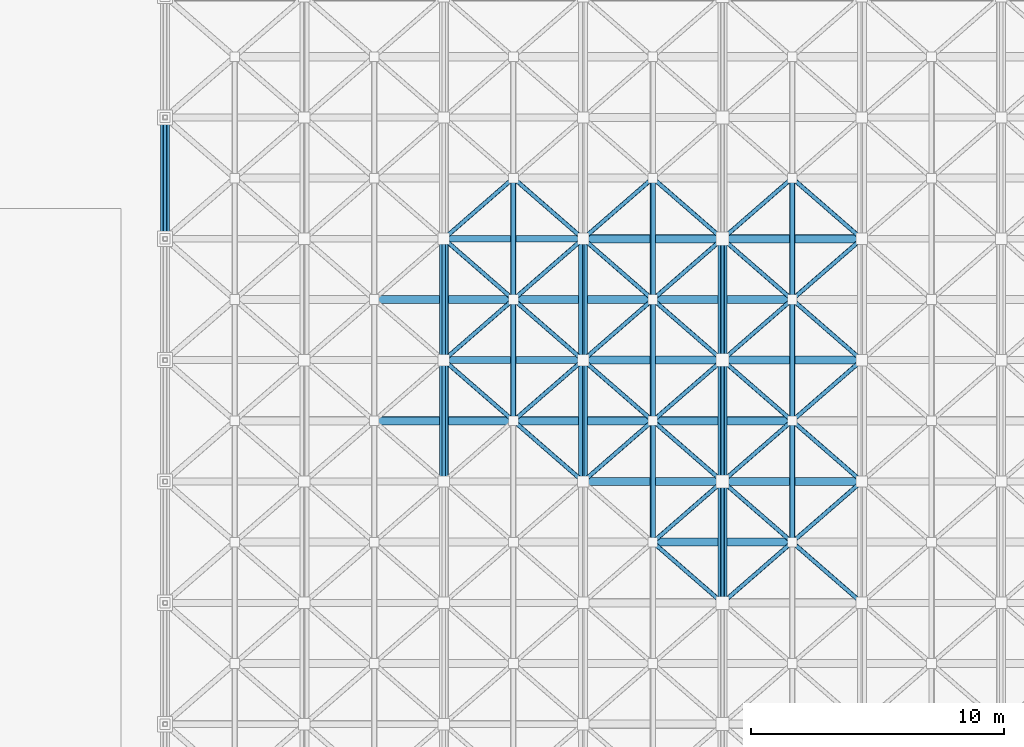
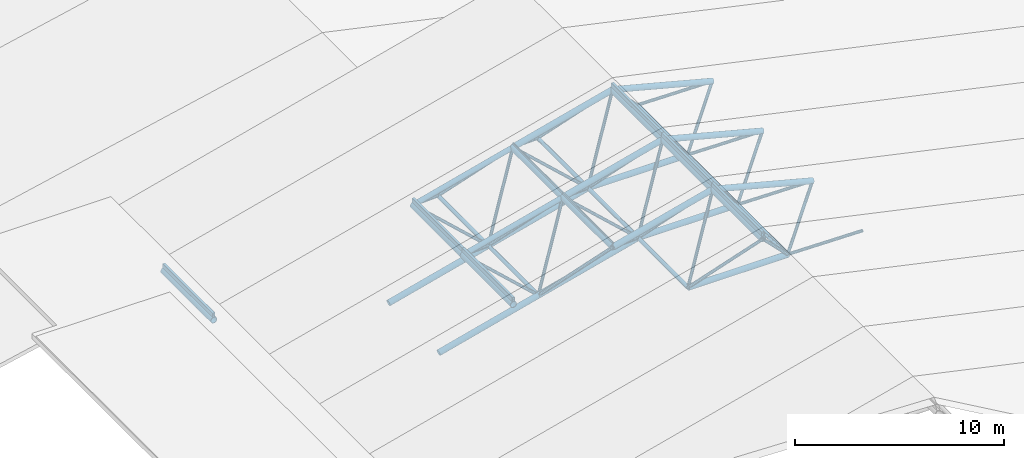
# One storey, part 8 of 60: 74 members.
"""IFC4 building model written with IfcOpenShell, lengths in metres."""

from ifc_helpers import new_model, si_unit, direction, frame, origin, origin_2d, place, context, subcontext, project, spatial, hollow_rectangle, hollow_circle, extrude, material, material_profile, profile_set, type_object, element, save


model = new_model("IFC4")

# Units and contexts
model_context = context("Model", 3, precision=1e-05, world=origin(), true_north=direction((0.0, 1.0)))
body_context = subcontext(model_context, "Body", "Model", "MODEL_VIEW")
ifc_project = project(units=[si_unit("LENGTHUNIT", "METRE"), si_unit("AREAUNIT", "SQUARE_METRE"), si_unit("VOLUMEUNIT", "CUBIC_METRE"), si_unit("PLANEANGLEUNIT", "RADIAN"), si_unit("MASSUNIT", "GRAM", prefix="KILO")], contexts=[model_context])

# Site, building, storey
site_placement = place(None, origin())
site = spatial("IfcSite", under=ifc_project, at=site_placement, CompositionType="ELEMENT")
building_placement = place(site_placement, origin())
building = spatial("IfcBuilding", under=site, at=building_placement, Name="Nakhvara Creek Congress Hotel", CompositionType="ELEMENT")
storey_placement = place(building_placement, frame((0.0, 0.0, 54.60009765625)))
storey = spatial("IfcBuildingStorey", under=building, at=storey_placement, Name="RL1", CompositionType="ELEMENT", Elevation=54.60009765625)

# Members
ifc_material = material(Name="Steel S355J2H", Category="steel")
ifc_material_profile_1 = material_profile(ifc_material, hollow_circle(Radius=0.084228515625, WallThickness=0.010009765625, at=origin_2d()), Name="CHS 168.3x10.0", Category="LoadBearing")
ifc_profile_set_1 = profile_set([ifc_material_profile_1], Name="Steel S355J2H")
member_type_1 = type_object("IfcMemberType", Name="MEM-BRC-CHS168H", PredefinedType="BRACE", material=ifc_profile_set_1)
for number, where, z_axis, x_axis, name in (
    (1, (28.44384765625, 64.800048828125, -32.610107421875), (0.558189509619, -0.486098066176, 0.672408463221), (0.656729278158, 0.754126418587, 0.0), "Congress Space Frame Web Diagonal 0499"),
    (2, (28.44384765625, 64.800048828125, -32.610107421875), (0.558202925689, 0.486060302908, 0.672424624541), (-0.656691284984, 0.754159503173, 0.0), "Congress Space Frame Web Diagonal 0501"),
):
    element("IfcMember", number, at=place(storey_placement, frame(where, z_axis=z_axis, x_axis=x_axis)), inside=storey, type_object=member_type_1, Name=name, PredefinedType="BRACE", context=body_context, shape_type="SweptSolid", body=[
        extrude(hollow_circle(Radius=0.084228515625, WallThickness=0.010009765625, at=origin_2d()), origin(), (0.0, 0.0, 1.0), 4.9375),
    ])
member_1_placement = place(storey_placement, frame((33.956298828125, 64.800048828125, -32.610107421875), z_axis=(-0.558223547657, -0.486084649868, 0.672389904746), x_axis=(0.656696195101, -0.754155227616, 0.0)))
element("IfcMember", 3, at=member_1_placement, inside=storey, type_object=member_type_1, Name="Congress Space Frame Web Diagonal 0504", PredefinedType="BRACE", context=body_context, shape_type="SweptSolid", body=[
    extrude(hollow_circle(Radius=0.084228515625, WallThickness=0.010009765625, at=origin_2d()), origin(), (0.0, 0.0, 1.0), 4.937744140625),
])
member_2_placement = place(storey_placement, frame((33.956298828125, 64.800048828125, -32.610107421875), z_axis=(0.670592992914, -0.58398438421, 0.457457404414), x_axis=(0.656729278158, 0.754126418587, 0.0)))
element("IfcMember", 4, at=member_2_placement, inside=storey, type_object=member_type_1, Name="Congress Space Frame Web Diagonal 0505", PredefinedType="BRACE", context=body_context, shape_type="SweptSolid", body=[
    extrude(hollow_circle(Radius=0.084228515625, WallThickness=0.010009765625, at=origin_2d()), origin(), (0.0, 0.0, 1.0), 4.10986328125),
])
member_3_placement = place(storey_placement, frame((33.956298828125, 64.800048828125, -32.610107421875), z_axis=(-0.558236963804, 0.486046886997, 0.672406064728), x_axis=(-0.656658200939, -0.754188310132, 0.0)))
element("IfcMember", 5, at=member_3_placement, inside=storey, type_object=member_type_1, Name="Congress Space Frame Web Diagonal 0506", PredefinedType="BRACE", context=body_context, shape_type="SweptSolid", body=[
    extrude(hollow_circle(Radius=0.084228515625, WallThickness=0.010009765625, at=origin_2d()), origin(), (0.0, 0.0, 1.0), 4.9375),
])
member_4_placement = place(storey_placement, frame((33.956298828125, 64.800048828125, -32.610107421875), z_axis=(0.670616255838, 0.583945238275, 0.457473273648), x_axis=(-0.656691284984, 0.754159503173, 0.0)))
element("IfcMember", 6, at=member_4_placement, inside=storey, type_object=member_type_1, Name="Congress Space Frame Web Diagonal 0507", PredefinedType="BRACE", context=body_context, shape_type="SweptSolid", body=[
    extrude(hollow_circle(Radius=0.084228515625, WallThickness=0.010009765625, at=origin_2d()), origin(), (0.0, 0.0, 1.0), 4.10986328125),
])
member_5_placement = place(storey_placement, frame((22.93115234375, 69.60009765625, -34.050048828125), z_axis=(0.558223547657, -0.486084649868, 0.672389904746), x_axis=(0.656696195101, 0.754155227616, 0.0)))
element("IfcMember", 7, at=member_5_placement, inside=storey, type_object=member_type_1, Name="Congress Space Frame Web Diagonal 0540", PredefinedType="BRACE", context=body_context, shape_type="SweptSolid", body=[
    extrude(hollow_circle(Radius=0.084228515625, WallThickness=0.010009765625, at=origin_2d()), origin(), (0.0, 0.0, 1.0), 4.937744140625),
])
member_6_placement = place(storey_placement, frame((22.93115234375, 69.60009765625, -34.050048828125), z_axis=(-0.670634480014, 0.583961107143, 0.457426299593), x_axis=(-0.656691284984, -0.754159503173, 0.0)))
element("IfcMember", 8, at=member_6_placement, inside=storey, type_object=member_type_1, Name="Congress Space Frame Web Diagonal 0541", PredefinedType="BRACE", context=body_context, shape_type="SweptSolid", body=[
    extrude(hollow_circle(Radius=0.084228515625, WallThickness=0.010009765625, at=origin_2d()), origin(), (0.0, 0.0, 1.0), 4.109619140625),
])
member_7_placement = place(storey_placement, frame((22.93115234375, 69.60009765625, -34.050048828125), z_axis=(0.558236963804, 0.486046886997, 0.672406064728), x_axis=(-0.656658200939, 0.754188310132, 0.0)))
element("IfcMember", 9, at=member_7_placement, inside=storey, type_object=member_type_1, Name="Congress Space Frame Web Diagonal 0542", PredefinedType="BRACE", context=body_context, shape_type="SweptSolid", body=[
    extrude(hollow_circle(Radius=0.084228515625, WallThickness=0.010009765625, at=origin_2d()), origin(), (0.0, 0.0, 1.0), 4.9375),
])
member_8_placement = place(storey_placement, frame((28.44384765625, 69.60009765625, -32.610107421875), z_axis=(-0.670625680367, -0.583961121673, 0.457439181976), x_axis=(0.656696195101, -0.754155227616, 0.0)))
element("IfcMember", 10, at=member_8_placement, inside=storey, type_object=member_type_1, Name="Congress Space Frame Web Diagonal 0545", PredefinedType="BRACE", context=body_context, shape_type="SweptSolid", body=[
    extrude(hollow_circle(Radius=0.084228515625, WallThickness=0.010009765625, at=origin_2d()), origin(), (0.0, 0.0, 1.0), 4.110107421875),
])
member_9_placement = place(storey_placement, frame((28.44384765625, 69.60009765625, -32.610107421875), z_axis=(0.558189509619, -0.486098066176, 0.672408463221), x_axis=(0.656729278158, 0.754126418587, 0.0)))
element("IfcMember", 11, at=member_9_placement, inside=storey, type_object=member_type_1, Name="Congress Space Frame Web Diagonal 0546", PredefinedType="BRACE", context=body_context, shape_type="SweptSolid", body=[
    extrude(hollow_circle(Radius=0.084228515625, WallThickness=0.010009765625, at=origin_2d()), origin(), (0.0, 0.0, 1.0), 4.9375),
])
member_10_placement = place(storey_placement, frame((28.44384765625, 69.60009765625, -32.610107421875), z_axis=(-0.670648942571, 0.583921975684, 0.457455049313), x_axis=(-0.656658200939, -0.754188310132, 0.0)))
element("IfcMember", 12, at=member_10_placement, inside=storey, type_object=member_type_1, Name="Congress Space Frame Web Diagonal 0547", PredefinedType="BRACE", context=body_context, shape_type="SweptSolid", body=[
    extrude(hollow_circle(Radius=0.084228515625, WallThickness=0.010009765625, at=origin_2d()), origin(), (0.0, 0.0, 1.0), 4.10986328125),
])
member_11_placement = place(storey_placement, frame((28.44384765625, 69.60009765625, -32.610107421875), z_axis=(0.558202925689, 0.486060302908, 0.672424624541), x_axis=(-0.656691284984, 0.754159503173, 0.0)))
element("IfcMember", 13, at=member_11_placement, inside=storey, type_object=member_type_1, Name="Congress Space Frame Web Diagonal 0548", PredefinedType="BRACE", context=body_context, shape_type="SweptSolid", body=[
    extrude(hollow_circle(Radius=0.084228515625, WallThickness=0.010009765625, at=origin_2d()), origin(), (0.0, 0.0, 1.0), 4.9375),
])
member_12_placement = place(storey_placement, frame((33.956298828125, 69.60009765625, -32.610107421875), z_axis=(-0.558223547657, -0.486084649868, 0.672389904746), x_axis=(0.656696195101, -0.754155227616, 0.0)))
element("IfcMember", 14, at=member_12_placement, inside=storey, type_object=member_type_1, Name="Congress Space Frame Web Diagonal 0551", PredefinedType="BRACE", context=body_context, shape_type="SweptSolid", body=[
    extrude(hollow_circle(Radius=0.084228515625, WallThickness=0.010009765625, at=origin_2d()), origin(), (0.0, 0.0, 1.0), 4.937744140625),
])
member_13_placement = place(storey_placement, frame((33.956298828125, 69.60009765625, -32.610107421875), z_axis=(0.670592992914, -0.58398438421, 0.457457404414), x_axis=(0.656729278158, 0.754126418587, 0.0)))
element("IfcMember", 15, at=member_13_placement, inside=storey, type_object=member_type_1, Name="Congress Space Frame Web Diagonal 0552", PredefinedType="BRACE", context=body_context, shape_type="SweptSolid", body=[
    extrude(hollow_circle(Radius=0.084228515625, WallThickness=0.010009765625, at=origin_2d()), origin(), (0.0, 0.0, 1.0), 4.10986328125),
])
member_14_placement = place(storey_placement, frame((33.956298828125, 69.60009765625, -32.610107421875), z_axis=(-0.558236963804, 0.486046886997, 0.672406064728), x_axis=(-0.656658200939, -0.754188310132, 0.0)))
element("IfcMember", 16, at=member_14_placement, inside=storey, type_object=member_type_1, Name="Congress Space Frame Web Diagonal 0553", PredefinedType="BRACE", context=body_context, shape_type="SweptSolid", body=[
    extrude(hollow_circle(Radius=0.084228515625, WallThickness=0.010009765625, at=origin_2d()), origin(), (0.0, 0.0, 1.0), 4.9375),
])
member_15_placement = place(storey_placement, frame((33.956298828125, 69.60009765625, -32.610107421875), z_axis=(0.670616255838, 0.583945238275, 0.457473273648), x_axis=(-0.656691284984, 0.754159503173, 0.0)))
element("IfcMember", 17, at=member_15_placement, inside=storey, type_object=member_type_1, Name="Congress Space Frame Web Diagonal 0554", PredefinedType="BRACE", context=body_context, shape_type="SweptSolid", body=[
    extrude(hollow_circle(Radius=0.084228515625, WallThickness=0.010009765625, at=origin_2d()), origin(), (0.0, 0.0, 1.0), 4.10986328125),
])
member_16_placement = place(storey_placement, frame((22.93115234375, 74.39990234375, -34.050048828125), z_axis=(-0.670634480014, -0.583961107143, 0.457426299593), x_axis=(0.656691284984, -0.754159503173, 0.0)))
element("IfcMember", 18, at=member_16_placement, inside=storey, type_object=member_type_1, Name="Congress Space Frame Web Diagonal 0586", PredefinedType="BRACE", context=body_context, shape_type="SweptSolid", body=[
    extrude(hollow_circle(Radius=0.084228515625, WallThickness=0.010009765625, at=origin_2d()), origin(), (0.0, 0.0, 1.0), 4.109619140625),
])
member_17_placement = place(storey_placement, frame((22.93115234375, 74.39990234375, -34.050048828125), z_axis=(0.558236963804, -0.486046886997, 0.672406064728), x_axis=(0.656658200939, 0.754188310132, 0.0)))
element("IfcMember", 19, at=member_17_placement, inside=storey, type_object=member_type_1, Name="Congress Space Frame Web Diagonal 0587", PredefinedType="BRACE", context=body_context, shape_type="SweptSolid", body=[
    extrude(hollow_circle(Radius=0.084228515625, WallThickness=0.010009765625, at=origin_2d()), origin(), (0.0, 0.0, 1.0), 4.9375),
])
member_18_placement = place(storey_placement, frame((22.93115234375, 74.39990234375, -34.050048828125), z_axis=(-0.670611215194, 0.584000253041, 0.457410431127), x_axis=(-0.656729278158, -0.754126418587, 0.0)))
element("IfcMember", 20, at=member_18_placement, inside=storey, type_object=member_type_1, Name="Congress Space Frame Web Diagonal 0588", PredefinedType="BRACE", context=body_context, shape_type="SweptSolid", body=[
    extrude(hollow_circle(Radius=0.084228515625, WallThickness=0.010009765625, at=origin_2d()), origin(), (0.0, 0.0, 1.0), 4.10986328125),
])
member_19_placement = place(storey_placement, frame((22.93115234375, 74.39990234375, -34.050048828125), z_axis=(0.558223547657, 0.486084649868, 0.672389904746), x_axis=(-0.656696195101, 0.754155227616, 0.0)))
element("IfcMember", 21, at=member_19_placement, inside=storey, type_object=member_type_1, Name="Congress Space Frame Web Diagonal 0589", PredefinedType="BRACE", context=body_context, shape_type="SweptSolid", body=[
    extrude(hollow_circle(Radius=0.084228515625, WallThickness=0.010009765625, at=origin_2d()), origin(), (0.0, 0.0, 1.0), 4.937744140625),
])
member_20_placement = place(storey_placement, frame((28.44384765625, 74.39990234375, -32.610107421875), z_axis=(-0.670648942571, -0.583921975684, 0.457455049313), x_axis=(0.656658200939, -0.754188310132, 0.0)))
element("IfcMember", 22, at=member_20_placement, inside=storey, type_object=member_type_1, Name="Congress Space Frame Web Diagonal 0592", PredefinedType="BRACE", context=body_context, shape_type="SweptSolid", body=[
    extrude(hollow_circle(Radius=0.084228515625, WallThickness=0.010009765625, at=origin_2d()), origin(), (0.0, 0.0, 1.0), 4.10986328125),
])
member_21_placement = place(storey_placement, frame((28.44384765625, 74.39990234375, -32.610107421875), z_axis=(0.558202925689, -0.486060302908, 0.672424624541), x_axis=(0.656691284984, 0.754159503173, 0.0)))
element("IfcMember", 23, at=member_21_placement, inside=storey, type_object=member_type_1, Name="Congress Space Frame Web Diagonal 0593", PredefinedType="BRACE", context=body_context, shape_type="SweptSolid", body=[
    extrude(hollow_circle(Radius=0.084228515625, WallThickness=0.010009765625, at=origin_2d()), origin(), (0.0, 0.0, 1.0), 4.9375),
])
member_22_placement = place(storey_placement, frame((28.44384765625, 74.39990234375, -32.610107421875), z_axis=(-0.670625680367, 0.583961121673, 0.457439181976), x_axis=(-0.656696195101, -0.754155227616, 0.0)))
element("IfcMember", 24, at=member_22_placement, inside=storey, type_object=member_type_1, Name="Congress Space Frame Web Diagonal 0594", PredefinedType="BRACE", context=body_context, shape_type="SweptSolid", body=[
    extrude(hollow_circle(Radius=0.084228515625, WallThickness=0.010009765625, at=origin_2d()), origin(), (0.0, 0.0, 1.0), 4.110107421875),
])
for number, where, z_axis, x_axis, name in (
    (25, (28.44384765625, 74.39990234375, -32.610107421875), (0.558189509619, 0.486098066176, 0.672408463221), (-0.656729278158, 0.754126418587, 0.0), "Congress Space Frame Web Diagonal 0595"),
    (26, (33.956298828125, 74.39990234375, -32.610107421875), (-0.558236963804, -0.486046886997, 0.672406064728), (0.656658200939, -0.754188310132, 0.0), "Congress Space Frame Web Diagonal 0598"),
):
    element("IfcMember", number, at=place(storey_placement, frame(where, z_axis=z_axis, x_axis=x_axis)), inside=storey, type_object=member_type_1, Name=name, PredefinedType="BRACE", context=body_context, shape_type="SweptSolid", body=[
        extrude(hollow_circle(Radius=0.084228515625, WallThickness=0.010009765625, at=origin_2d()), origin(), (0.0, 0.0, 1.0), 4.9375),
    ])
member_23_placement = place(storey_placement, frame((33.956298828125, 74.39990234375, -32.610107421875), z_axis=(0.670616255838, -0.583945238275, 0.457473273648), x_axis=(0.656691284984, 0.754159503173, 0.0)))
element("IfcMember", 27, at=member_23_placement, inside=storey, type_object=member_type_1, Name="Congress Space Frame Web Diagonal 0599", PredefinedType="BRACE", context=body_context, shape_type="SweptSolid", body=[
    extrude(hollow_circle(Radius=0.084228515625, WallThickness=0.010009765625, at=origin_2d()), origin(), (0.0, 0.0, 1.0), 4.10986328125),
])
member_24_placement = place(storey_placement, frame((33.956298828125, 74.39990234375, -32.610107421875), z_axis=(-0.558223547657, 0.486084649868, 0.672389904746), x_axis=(-0.656696195101, -0.754155227616, 0.0)))
element("IfcMember", 28, at=member_24_placement, inside=storey, type_object=member_type_1, Name="Congress Space Frame Web Diagonal 0600", PredefinedType="BRACE", context=body_context, shape_type="SweptSolid", body=[
    extrude(hollow_circle(Radius=0.084228515625, WallThickness=0.010009765625, at=origin_2d()), origin(), (0.0, 0.0, 1.0), 4.937744140625),
])
member_25_placement = place(storey_placement, frame((33.956298828125, 74.39990234375, -32.610107421875), z_axis=(0.670592992914, 0.58398438421, 0.457457404414), x_axis=(-0.656729278158, 0.754126418587, 0.0)))
element("IfcMember", 29, at=member_25_placement, inside=storey, type_object=member_type_1, Name="Congress Space Frame Web Diagonal 0601", PredefinedType="BRACE", context=body_context, shape_type="SweptSolid", body=[
    extrude(hollow_circle(Radius=0.084228515625, WallThickness=0.010009765625, at=origin_2d()), origin(), (0.0, 0.0, 1.0), 4.10986328125),
])
member_26_placement = place(storey_placement, frame((22.93115234375, 79.199951171875, -34.050048828125), z_axis=(-0.670634480014, -0.583961107143, 0.457426299593), x_axis=(0.656691284984, -0.754159503173, 0.0)))
element("IfcMember", 30, at=member_26_placement, inside=storey, type_object=member_type_1, Name="Congress Space Frame Web Diagonal 0633", PredefinedType="BRACE", context=body_context, shape_type="SweptSolid", body=[
    extrude(hollow_circle(Radius=0.084228515625, WallThickness=0.010009765625, at=origin_2d()), origin(), (0.0, 0.0, 1.0), 4.109619140625),
])
member_27_placement = place(storey_placement, frame((22.93115234375, 79.199951171875, -34.050048828125), z_axis=(0.558236963804, -0.486046886997, 0.672406064728), x_axis=(0.656658200939, 0.754188310132, 0.0)))
element("IfcMember", 31, at=member_27_placement, inside=storey, type_object=member_type_1, Name="Congress Space Frame Web Diagonal 0634", PredefinedType="BRACE", context=body_context, shape_type="SweptSolid", body=[
    extrude(hollow_circle(Radius=0.084228515625, WallThickness=0.010009765625, at=origin_2d()), origin(), (0.0, 0.0, 1.0), 4.9375),
])
member_28_placement = place(storey_placement, frame((28.44384765625, 79.199951171875, -32.610107421875), z_axis=(-0.670648942571, -0.583921975684, 0.457455049313), x_axis=(0.656658200939, -0.754188310132, 0.0)))
element("IfcMember", 32, at=member_28_placement, inside=storey, type_object=member_type_1, Name="Congress Space Frame Web Diagonal 0639", PredefinedType="BRACE", context=body_context, shape_type="SweptSolid", body=[
    extrude(hollow_circle(Radius=0.084228515625, WallThickness=0.010009765625, at=origin_2d()), origin(), (0.0, 0.0, 1.0), 4.10986328125),
])
for number, where, z_axis, x_axis, name in (
    (33, (28.44384765625, 79.199951171875, -32.610107421875), (0.558202925689, -0.486060302908, 0.672424624541), (0.656691284984, 0.754159503173, 0.0), "Congress Space Frame Web Diagonal 0640"),
    (34, (33.956298828125, 79.199951171875, -32.610107421875), (-0.558236963804, -0.486046886997, 0.672406064728), (0.656658200939, -0.754188310132, 0.0), "Congress Space Frame Web Diagonal 0645"),
):
    element("IfcMember", number, at=place(storey_placement, frame(where, z_axis=z_axis, x_axis=x_axis)), inside=storey, type_object=member_type_1, Name=name, PredefinedType="BRACE", context=body_context, shape_type="SweptSolid", body=[
        extrude(hollow_circle(Radius=0.084228515625, WallThickness=0.010009765625, at=origin_2d()), origin(), (0.0, 0.0, 1.0), 4.9375),
    ])
member_29_placement = place(storey_placement, frame((33.956298828125, 79.199951171875, -32.610107421875), z_axis=(0.670616255838, -0.583945238275, 0.457473273648), x_axis=(0.656691284984, 0.754159503173, 0.0)))
element("IfcMember", 35, at=member_29_placement, inside=storey, type_object=member_type_1, Name="Congress Space Frame Web Diagonal 0646", PredefinedType="BRACE", context=body_context, shape_type="SweptSolid", body=[
    extrude(hollow_circle(Radius=0.084228515625, WallThickness=0.010009765625, at=origin_2d()), origin(), (0.0, 0.0, 1.0), 4.10986328125),
])
ifc_material_profile_2 = material_profile(ifc_material, hollow_circle(Radius=0.109619140625, WallThickness=0.012451171875, at=origin_2d()), Name="CHS 219.1x12.5", Category="LoadBearing")
ifc_profile_set_2 = profile_set([ifc_material_profile_2], Name="Steel S355J2H")
member_type_2 = type_object("IfcMemberType", Name="MEM-CHD-CHS219H", PredefinedType="CHORD", material=ifc_profile_set_2)
for number, where, z_axis, x_axis, name in (
    (36, (28.44384765625, 64.800048828125, -32.610107421875), (0.0, 1.0, 0.0), (-1.0, 0.0, 0.0), "Congress Roof Truss Bottom Tie 0497"),
    (37, (33.956298828125, 64.800048828125, -32.610107421875), (0.0, 1.0, 0.0), (-1.0, 0.0, 0.0), "Congress Roof Truss Bottom Tie 0503"),
):
    element("IfcMember", number, at=place(storey_placement, frame(where, z_axis=z_axis, x_axis=x_axis)), inside=storey, type_object=member_type_2, Name=name, PredefinedType="CHORD", context=body_context, shape_type="SweptSolid", body=[
        extrude(hollow_circle(Radius=0.109619140625, WallThickness=0.012451171875, at=origin_2d()), origin(), (0.0, 0.0, 1.0), 4.800048828125),
    ])
for number, where, z_axis, x_axis, name in (
    (38, (22.93115234375, 69.60009765625, -34.050048828125), (0.0, 1.0, 0.0), (-1.0, 0.0, 0.0), "Congress Roof Truss Bottom Tie 0538"),
    (39, (28.44384765625, 69.60009765625, -32.610107421875), (0.0, 1.0, 0.0), (-1.0, 0.0, 0.0), "Congress Roof Truss Bottom Tie 0544"),
    (40, (33.956298828125, 69.60009765625, -32.610107421875), (0.0, 1.0, 0.0), (-1.0, 0.0, 0.0), "Congress Roof Truss Bottom Tie 0550"),
):
    element("IfcMember", number, at=place(storey_placement, frame(where, z_axis=z_axis, x_axis=x_axis)), inside=storey, type_object=member_type_2, Name=name, PredefinedType="CHORD", context=body_context, shape_type="SweptSolid", body=[
        extrude(hollow_circle(Radius=0.109619140625, WallThickness=0.012451171875, at=origin_2d()), origin(), (0.0, 0.0, 1.0), 4.7998046875),
    ])
for number, where, z_axis, x_axis, name in (
    (41, (22.93115234375, 74.39990234375, -34.050048828125), (0.0, 1.0, 0.0), (-1.0, 0.0, 0.0), "Congress Roof Truss Bottom Tie 0585"),
    (42, (28.44384765625, 74.39990234375, -32.610107421875), (0.0, 1.0, 0.0), (-1.0, 0.0, 0.0), "Congress Roof Truss Bottom Tie 0591"),
    (43, (33.956298828125, 74.39990234375, -32.610107421875), (0.0, 1.0, 0.0), (-1.0, 0.0, 0.0), "Congress Roof Truss Bottom Tie 0597"),
):
    element("IfcMember", number, at=place(storey_placement, frame(where, z_axis=z_axis, x_axis=x_axis)), inside=storey, type_object=member_type_2, Name=name, PredefinedType="CHORD", context=body_context, shape_type="SweptSolid", body=[
        extrude(hollow_circle(Radius=0.109619140625, WallThickness=0.012451171875, at=origin_2d()), origin(), (0.0, 0.0, 1.0), 4.800048828125),
    ])
ifc_material_profile_3 = material_profile(ifc_material, hollow_circle(Radius=0.136474609375, WallThickness=0.01611328125, at=origin_2d()), Name="CHS 273.0x16.0", Category="LoadBearing")
ifc_profile_set_3 = profile_set([ifc_material_profile_3], Name="Steel S355J2H")
member_type_3 = type_object("IfcMemberType", Name="MEM-CHD-CHS273H", PredefinedType="CHORD", material=ifc_profile_set_3)
for number, where, z_axis, x_axis, name in (
    (44, (20.175048828125, 72.0, -32.170166015625), (0.967524832219, 0.0, 0.252775985883), (0.0, 1.0, 0.0), "Congress Space Frame Top Chord 0141"),
    (45, (20.175048828125, 76.800048828125, -32.170166015625), (0.967524832219, 0.0, 0.252775985883), (0.0, 1.0, 0.0), "Congress Space Frame Top Chord 0158"),
):
    element("IfcMember", number, at=place(storey_placement, frame(where, z_axis=z_axis, x_axis=x_axis)), inside=storey, type_object=member_type_3, Name=name, PredefinedType="CHORD", context=body_context, shape_type="SweptSolid", body=[
        extrude(hollow_circle(Radius=0.136474609375, WallThickness=0.01611328125, at=origin_2d()), origin(), (0.0, 0.0, 1.0), 5.697509765625),
    ])
ifc_material_profile_4 = material_profile(ifc_material, hollow_circle(Radius=0.161865234375, WallThickness=0.012451171875, at=origin_2d()), Name="CHS 323.9x12.5", Category="LoadBearing")
ifc_profile_set_4 = profile_set([ifc_material_profile_4], Name="Steel S355J2H")
member_type_4 = type_object("IfcMemberType", Name="MEM-CHD-CHS324", PredefinedType="CHORD", material=ifc_profile_set_4)
member_30_placement = place(storey_placement, frame((28.44384765625, 64.800048828125, -32.610107421875), z_axis=(1.0, 0.0, 0.0), x_axis=(0.0, 1.0, 0.0)))
element("IfcMember", 46, at=member_30_placement, inside=storey, type_object=member_type_4, Name="Congress Space Frame Bottom Chord 0496", PredefinedType="CHORD", context=body_context, shape_type="SweptSolid", body=[
    extrude(hollow_circle(Radius=0.161865234375, WallThickness=0.012451171875, at=origin_2d()), origin(), (0.0, 0.0, 1.0), 5.512451171875),
])
member_31_placement = place(storey_placement, frame((17.418701171875, 69.60009765625, -35.489990234375), z_axis=(0.967535311358, 0.0, 0.252735872554), x_axis=(0.0, 1.0, 0.0)))
element("IfcMember", 47, at=member_31_placement, inside=storey, type_object=member_type_4, Name="Congress Space Frame Bottom Chord 0531", PredefinedType="CHORD", context=body_context, shape_type="SweptSolid", body=[
    extrude(hollow_circle(Radius=0.161865234375, WallThickness=0.012451171875, at=origin_2d()), origin(), (0.0, 0.0, 1.0), 5.697509765625),
])
member_32_placement = place(storey_placement, frame((22.93115234375, 69.60009765625, -34.050048828125), z_axis=(0.967538048321, 0.0, 0.252725394553), x_axis=(0.0, 1.0, 0.0)))
element("IfcMember", 48, at=member_32_placement, inside=storey, type_object=member_type_4, Name="Congress Space Frame Bottom Chord 0537", PredefinedType="CHORD", context=body_context, shape_type="SweptSolid", body=[
    extrude(hollow_circle(Radius=0.161865234375, WallThickness=0.012451171875, at=origin_2d()), origin(), (0.0, 0.0, 1.0), 5.69775390625),
])
member_33_placement = place(storey_placement, frame((28.44384765625, 69.60009765625, -32.610107421875), z_axis=(1.0, 0.0, 0.0), x_axis=(0.0, 1.0, 0.0)))
element("IfcMember", 49, at=member_33_placement, inside=storey, type_object=member_type_4, Name="Congress Space Frame Bottom Chord 0543", PredefinedType="CHORD", context=body_context, shape_type="SweptSolid", body=[
    extrude(hollow_circle(Radius=0.161865234375, WallThickness=0.012451171875, at=origin_2d()), origin(), (0.0, 0.0, 1.0), 5.512451171875),
])
member_34_placement = place(storey_placement, frame((17.418701171875, 74.39990234375, -35.489990234375), z_axis=(0.967535311358, 0.0, 0.252735872554), x_axis=(0.0, 1.0, 0.0)))
element("IfcMember", 50, at=member_34_placement, inside=storey, type_object=member_type_4, Name="Congress Space Frame Bottom Chord 0578", PredefinedType="CHORD", context=body_context, shape_type="SweptSolid", body=[
    extrude(hollow_circle(Radius=0.161865234375, WallThickness=0.012451171875, at=origin_2d()), origin(), (0.0, 0.0, 1.0), 5.697509765625),
])
member_35_placement = place(storey_placement, frame((22.93115234375, 74.39990234375, -34.050048828125), z_axis=(0.967538048321, 0.0, 0.252725394553), x_axis=(0.0, 1.0, 0.0)))
element("IfcMember", 51, at=member_35_placement, inside=storey, type_object=member_type_4, Name="Congress Space Frame Bottom Chord 0584", PredefinedType="CHORD", context=body_context, shape_type="SweptSolid", body=[
    extrude(hollow_circle(Radius=0.161865234375, WallThickness=0.012451171875, at=origin_2d()), origin(), (0.0, 0.0, 1.0), 5.69775390625),
])
member_36_placement = place(storey_placement, frame((28.44384765625, 74.39990234375, -32.610107421875), z_axis=(1.0, 0.0, 0.0), x_axis=(0.0, 1.0, 0.0)))
element("IfcMember", 52, at=member_36_placement, inside=storey, type_object=member_type_4, Name="Congress Space Frame Bottom Chord 0590", PredefinedType="CHORD", context=body_context, shape_type="SweptSolid", body=[
    extrude(hollow_circle(Radius=0.161865234375, WallThickness=0.012451171875, at=origin_2d()), origin(), (0.0, 0.0, 1.0), 5.512451171875),
])
ifc_material_profile_5 = material_profile(ifc_material, hollow_circle(Radius=0.161865234375, WallThickness=0.01611328125, at=origin_2d()), Name="CHS 323.9x16.0", Category="LoadBearing")
ifc_profile_set_5 = profile_set([ifc_material_profile_5], Name="Steel S355J2H")
member_type_5 = type_object("IfcMemberType", Name="MEM-CHD-CHS324H", PredefinedType="CHORD", material=ifc_profile_set_5)
for number, where, z_axis, x_axis, name in (
    (53, (25.6875, 67.199951171875, -30.72998046875), (0.967535311358, 0.0, 0.252735872554), (0.0, 1.0, 0.0), "Congress Space Frame Top Chord 0126"),
    (54, (31.199951171875, 67.199951171875, -29.2900390625), (0.967535311358, 0.0, -0.252735872554), (0.0, 1.0, 0.0), "Congress Space Frame Top Chord 0128"),
    (55, (25.6875, 72.0, -30.72998046875), (0.967535311358, 0.0, 0.252735872554), (0.0, 1.0, 0.0), "Congress Space Frame Top Chord 0143"),
    (56, (31.199951171875, 72.0, -29.2900390625), (0.967535311358, 0.0, -0.252735872554), (0.0, 1.0, 0.0), "Congress Space Frame Top Chord 0145"),
    (57, (25.6875, 76.800048828125, -30.72998046875), (0.967535311358, 0.0, 0.252735872554), (0.0, 1.0, 0.0), "Congress Space Frame Top Chord 0160"),
    (58, (31.199951171875, 76.800048828125, -29.2900390625), (0.967535311358, 0.0, -0.252735872554), (0.0, 1.0, 0.0), "Congress Space Frame Top Chord 0162"),
):
    element("IfcMember", number, at=place(storey_placement, frame(where, z_axis=z_axis, x_axis=x_axis)), inside=storey, type_object=member_type_5, Name=name, PredefinedType="CHORD", context=body_context, shape_type="SweptSolid", body=[
        extrude(hollow_circle(Radius=0.161865234375, WallThickness=0.01611328125, at=origin_2d()), origin(), (0.0, 0.0, 1.0), 5.697509765625),
    ])
ifc_material_profile_6 = material_profile(ifc_material, hollow_circle(Radius=0.177734375, WallThickness=0.01611328125, at=origin_2d()), Name="CHS 355.6x16.0", Category="LoadBearing")
ifc_profile_set_6 = profile_set([ifc_material_profile_6], Name="Steel S355J2H")
member_type_6 = type_object("IfcMemberType", Name="MEM-CHD-CHS355", PredefinedType="CHORD", material=ifc_profile_set_6)
for number, where, z_axis, x_axis, name in (
    (59, (31.199951171875, 62.39990234375, -29.2900390625), (0.0, 1.0, 0.0), (-1.0, 0.0, 0.0), "Congress Roof Truss Longitudinal Chord 0112"),
    (60, (20.175048828125, 67.199951171875, -32.170166015625), (0.0, 1.0, 0.0), (-1.0, 0.0, 0.0), "Congress Roof Truss Longitudinal Chord 0125"),
    (61, (25.6875, 67.199951171875, -30.72998046875), (0.0, 1.0, 0.0), (-1.0, 0.0, 0.0), "Congress Roof Truss Longitudinal Chord 0127"),
    (62, (31.199951171875, 67.199951171875, -29.2900390625), (0.0, 1.0, 0.0), (-1.0, 0.0, 0.0), "Congress Roof Truss Longitudinal Chord 0129"),
    (63, (20.175048828125, 72.0, -32.170166015625), (0.0, 1.0, 0.0), (-1.0, 0.0, 0.0), "Congress Roof Truss Longitudinal Chord 0142"),
    (64, (25.6875, 72.0, -30.72998046875), (0.0, 1.0, 0.0), (-1.0, 0.0, 0.0), "Congress Roof Truss Longitudinal Chord 0144"),
    (65, (31.199951171875, 72.0, -29.2900390625), (0.0, 1.0, 0.0), (-1.0, 0.0, 0.0), "Congress Roof Truss Longitudinal Chord 0146"),
    (66, (9.14990234375, 76.800048828125, -35.050048828125), (0.0, 1.0, 0.0), (-1.0, 0.0, 0.0), "Congress Roof Truss Longitudinal Chord 0155"),
):
    element("IfcMember", number, at=place(storey_placement, frame(where, z_axis=z_axis, x_axis=x_axis)), inside=storey, type_object=member_type_6, Name=name, PredefinedType="CHORD", context=body_context, shape_type="SweptSolid", body=[
        extrude(hollow_circle(Radius=0.177734375, WallThickness=0.01611328125, at=origin_2d()), origin(), (0.0, 0.0, 1.0), 4.800048828125),
    ])
ifc_material_profile_7 = material_profile(ifc_material, hollow_rectangle(XDim=0.06005859375, YDim=0.1201171875, WallThickness=0.0048828125, InnerFilletRadius=0.0048828125, OuterFilletRadius=0.010009765625, at=origin_2d()), Name="RHS 120x60x5.0", Category="LoadBearing")
ifc_profile_set_7 = profile_set([ifc_material_profile_7], Name="Steel S355J2H")
member_type_7 = type_object("IfcMemberType", Name="MEM-PUR-RHS120", PredefinedType="PURLIN", material=ifc_profile_set_7)
for number, where, z_axis, x_axis, name in (
    (67, (25.6875, 67.199951171875, -30.498046875), (0.0, 1.0, 0.0), (-1.0, 0.0, 0.0), "Congress Roof Purlin 041"),
    (68, (25.6875, 72.0, -30.498046875), (0.0, 1.0, 0.0), (-1.0, 0.0, 0.0), "Congress Roof Purlin 042"),
):
    element("IfcMember", number, at=place(storey_placement, frame(where, z_axis=z_axis, x_axis=x_axis)), inside=storey, type_object=member_type_7, Name=name, PredefinedType="PURLIN", context=body_context, shape_type="SweptSolid", body=[
        extrude(hollow_rectangle(XDim=0.06005859375, YDim=0.1201171875, WallThickness=0.0048828125, InnerFilletRadius=0.0048828125, OuterFilletRadius=0.010009765625, at=origin_2d()), origin(), (0.0, 0.0, 1.0), 4.800048828125),
    ])
ifc_material_profile_8 = material_profile(ifc_material, hollow_rectangle(XDim=0.14990234375, YDim=0.25, WallThickness=0.010009765625, InnerFilletRadius=0.010009765625, OuterFilletRadius=0.02001953125, at=origin_2d()), Name="RHS 250x150x10.0", Category="LoadBearing")
ifc_profile_set_8 = profile_set([ifc_material_profile_8], Name="Steel S355J2H")
member_type_8 = type_object("IfcMemberType", Name="MEM-PUR-RHS250", PredefinedType="PURLIN", material=ifc_profile_set_8)
for number, where, z_axis, x_axis, name in (
    (69, (9.14990234375, 76.800048828125, -34.753173828125), (0.0, 1.0, 0.0), (-1.0, 0.0, 0.0), "Congress Roof Purlin 010"),
    (70, (20.175048828125, 67.199951171875, -31.873046875), (0.0, 1.0, 0.0), (-1.0, 0.0, 0.0), "Congress Roof Purlin 030"),
    (71, (20.175048828125, 72.0, -31.873046875), (0.0, 1.0, 0.0), (-1.0, 0.0, 0.0), "Congress Roof Purlin 031"),
    (72, (31.199951171875, 62.39990234375, -28.9931640625), (0.0, 1.0, 0.0), (-1.0, 0.0, 0.0), "Congress Roof Purlin 051"),
    (73, (31.199951171875, 67.199951171875, -28.9931640625), (0.0, 1.0, 0.0), (-1.0, 0.0, 0.0), "Congress Roof Purlin 052"),
    (74, (31.199951171875, 72.0, -28.9931640625), (0.0, 1.0, 0.0), (-1.0, 0.0, 0.0), "Congress Roof Purlin 053"),
):
    element("IfcMember", number, at=place(storey_placement, frame(where, z_axis=z_axis, x_axis=x_axis)), inside=storey, type_object=member_type_8, Name=name, PredefinedType="PURLIN", context=body_context, shape_type="SweptSolid", body=[
        extrude(hollow_rectangle(XDim=0.14990234375, YDim=0.25, WallThickness=0.010009765625, InnerFilletRadius=0.010009765625, OuterFilletRadius=0.02001953125, at=origin_2d()), origin(), (0.0, 0.0, 1.0), 4.800048828125),
    ])

save(model, "model.ifc")
